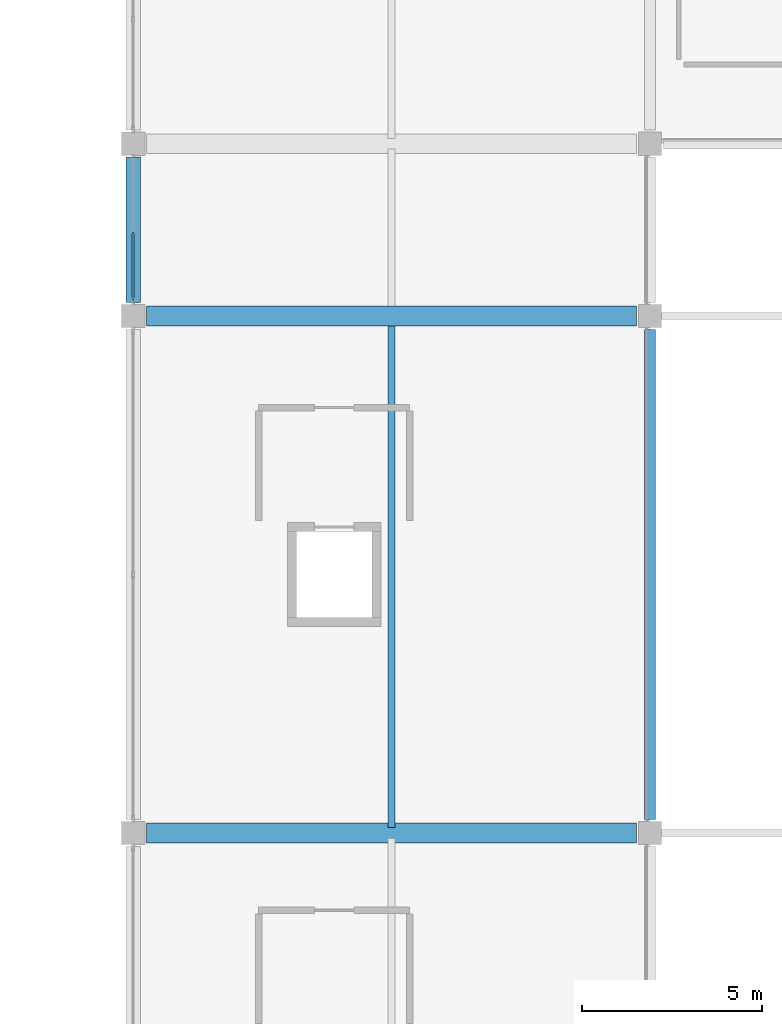
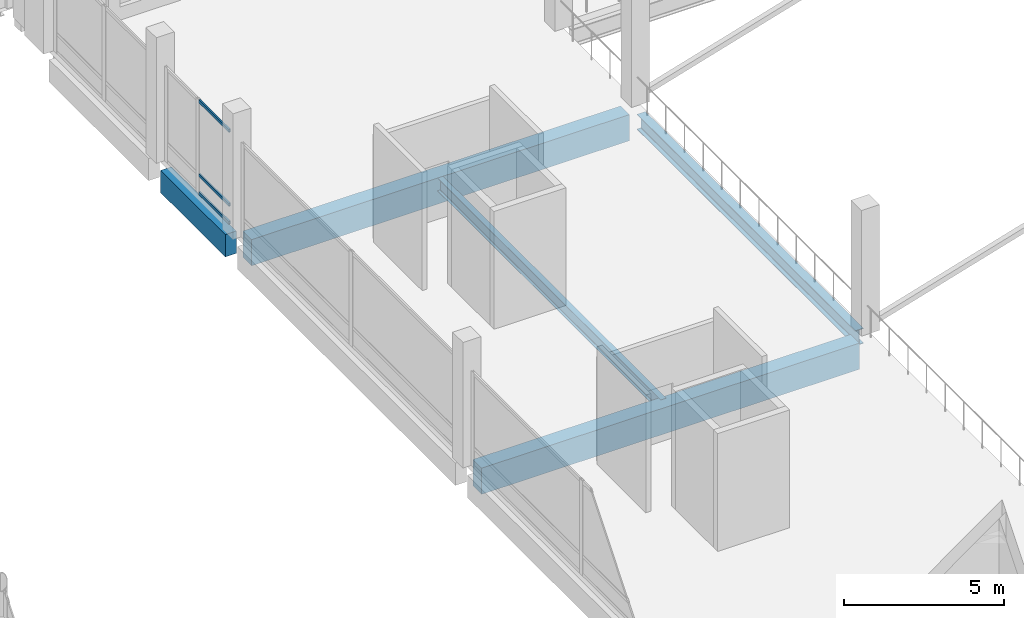
# One storey, part 105 of 220: 5 beams, 3 members, 1 element without a shape of its own.
"""IFC4 building model written with IfcOpenShell, lengths in metres."""

import ifcopenshell
import ifcopenshell.guid

model = None  # the IFC model being written
_history = None  # IfcOwnerHistory: only IFC2X3 demands one
_inside = {}  # id of a spatial element -> (the spatial element, [elements in it])
_under = {}  # id of a project, library or spatial element -> (it, [spatial elements below it])
_declared = {}  # id of a project -> (the project, [libraries it declares])
_typed = {}  # id of a type object -> (the type object, [elements of that type])
_made_of = {}  # id of a material, layer set ... -> (it, [elements and type objects made of it])


def new_model(schema):
    """Start an empty IFC model of exactly this schema.

    Asked for "IFC4X3", IfcOpenShell would pick the latest addendum, in which some entities
    have other attributes; the version numbers below select the first issue.
    IFC2X3 requires an IfcOwnerHistory on every rooted entity: one is made here for all.
    """
    global model, _history
    if schema == "IFC4X3":
        model = ifcopenshell.file(schema_version=(4, 3, 0, 0))
    else:
        model = ifcopenshell.file(schema=schema)
    _inside.clear()
    _under.clear()
    _declared.clear()
    _typed.clear()
    _made_of.clear()
    _history = None
    if model.schema == "IFC2X3":
        org = make("IfcOrganization", Name="unknown")
        user = make(
            "IfcPersonAndOrganization",
            ThePerson=make("IfcPerson", FamilyName="unknown"),
            TheOrganization=org,
        )
        app = make(
            "IfcApplication",
            ApplicationDeveloper=org,
            Version="unknown",
            ApplicationFullName="unknown",
            ApplicationIdentifier="unknown",
        )
        _history = make(
            "IfcOwnerHistory",
            OwningUser=user,
            OwningApplication=app,
            ChangeAction="ADDED",
            CreationDate=0,
        )
    return model


def make(cls, **values):
    """One entity of the class cls with the attributes given. An attribute that is None is left unset."""
    return model.create_entity(
        cls, **{name: value for name, value in values.items() if value is not None}
    )


def rooted(cls, **values):
    """An entity with a GlobalId (a new one), such as an element, a storey or a relation."""
    return make(cls, GlobalId=ifcopenshell.guid.new(), OwnerHistory=_history, **values)


def si_unit(unit_type, name, prefix=None):
    """IfcSIUnit, for example si_unit("LENGTHUNIT", "METRE", prefix="MILLI")."""
    return make("IfcSIUnit", UnitType=unit_type, Prefix=prefix, Name=name)


def assignment(units):
    """IfcUnitAssignment: the units of a project."""
    return None if units is None else make("IfcUnitAssignment", Units=units)


def point(xyz):
    """IfcCartesianPoint."""
    return None if xyz is None else make("IfcCartesianPoint", Coordinates=xyz)


def direction(xyz):
    """IfcDirection."""
    return None if xyz is None else make("IfcDirection", DirectionRatios=xyz)


def frame(location, z_axis=None, x_axis=None):
    """IfcAxis2Placement3D, a coordinate frame: its origin and axes. An axis left out is left unset."""
    return make(
        "IfcAxis2Placement3D",
        Location=point(location),
        Axis=direction(z_axis),
        RefDirection=direction(x_axis),
    )


def frame_2d(location, x_axis=None):
    """IfcAxis2Placement2D, a coordinate frame in the plane: its origin and x axis."""
    return make(
        "IfcAxis2Placement2D", Location=point(location), RefDirection=direction(x_axis)
    )


def origin():
    """The frame at (0, 0, 0) with its axes left unset."""
    return frame((0.0, 0.0, 0.0))


def origin_2d():
    """The frame at (0, 0) in the plane with its x axis left unset."""
    return frame_2d((0.0, 0.0))


def place(relative_to, where):
    """IfcLocalPlacement: puts the frame where relative to a parent placement (None: the world)."""
    return make(
        "IfcLocalPlacement", PlacementRelTo=relative_to, RelativePlacement=where
    )


def context(
    kind, dimensions, precision=None, world=None, true_north=None, identifier=None
):
    """IfcGeometricRepresentationContext, for example the 3D "Model" context."""
    return make(
        "IfcGeometricRepresentationContext",
        ContextIdentifier=identifier,
        ContextType=kind,
        CoordinateSpaceDimension=dimensions,
        Precision=precision,
        WorldCoordinateSystem=world,
        TrueNorth=true_north,
    )


def subcontext(parent, identifier, kind, view, scale=None):
    """IfcGeometricRepresentationSubContext, for example "Body" below "Model"."""
    return make(
        "IfcGeometricRepresentationSubContext",
        ContextIdentifier=identifier,
        ContextType=kind,
        ParentContext=parent,
        TargetScale=scale,
        TargetView=view,
    )


def project(units=None, contexts=None):
    """IfcProject with its units and contexts."""
    return rooted(
        "IfcProject",
        Name="project",
        RepresentationContexts=contexts,
        UnitsInContext=assignment(units),
    )


def spatial(cls, under=None, at=None, **own):
    """A site, building, storey or space (cls), placed at a placement, below another one or the project."""
    s = rooted(cls, ObjectPlacement=at, **own)
    if under is not None:
        _under.setdefault(under.id(), (under, []))[1].append(s)
    return s


def profile(cls, at=None, kind="AREA", **sizes):
    """A parametric profile (cls). Its sizes go by their IFC names, for example OverallWidth=200.0."""
    return make(cls, ProfileType=kind, Position=at, **sizes)


def rectangle(**sizes):
    """IfcRectangleProfileDef."""
    return profile("IfcRectangleProfileDef", **sizes)


def hollow_rectangle(**sizes):
    """IfcRectangleHollowProfileDef."""
    return profile("IfcRectangleHollowProfileDef", **sizes)


def i_section(**sizes):
    """IfcIShapeProfileDef."""
    return profile("IfcIShapeProfileDef", **sizes)


def extrude(swept, where, along, depth):
    """IfcExtrudedAreaSolid: the profile swept, set in the frame where, extruded along a direction by depth."""
    return make(
        "IfcExtrudedAreaSolid",
        SweptArea=swept,
        Position=where,
        ExtrudedDirection=direction(along),
        Depth=depth,
    )


def shape(context_of_items, identifier, shape_type, items):
    """IfcShapeRepresentation: the items that make up one representation, for example the "Body"."""
    return make(
        "IfcShapeRepresentation",
        ContextOfItems=context_of_items,
        RepresentationIdentifier=identifier,
        RepresentationType=shape_type,
        Items=items,
    )


def material(Name=None, Category=None):
    """IfcMaterial."""
    return make("IfcMaterial", Name=Name, Category=Category)


def material_profile(
    of_material, cross_section, Name=None, Category=None, Priority=None
):
    """IfcMaterialProfile: a cross section and its material."""
    return make(
        "IfcMaterialProfile",
        Name=Name,
        Material=of_material,
        Profile=cross_section,
        Priority=Priority,
        Category=Category,
    )


def profile_set(profiles, Name=None, composite=None):
    """IfcMaterialProfileSet."""
    return make(
        "IfcMaterialProfileSet",
        Name=Name,
        MaterialProfiles=profiles,
        CompositeProfile=composite,
    )


def made_of(thing, what):
    """Note that an element or type object is made of a material, layer set ...; save() writes the relation."""
    if what is not None:
        _made_of.setdefault(what.id(), (what, []))[1].append(thing)
    return thing


def type_object(cls, material=None, **own):
    """A type object (cls), such as IfcWallType, which elements share."""
    return made_of(rooted(cls, **own), material)


def element(
    cls,
    number,
    at=None,
    inside=None,
    cuts=None,
    type_object=None,
    material=None,
    context=None,
    identifier="Body",
    shape_type=None,
    held_by="IfcProductDefinitionShape",
    body=None,
    shapes=None,
    **own,
):
    """One element of the class cls, such as IfcWall. Its Tag is "e" and its number.

    at: its placement. inside: the storey or other place that contains it. cuts: it is an
    opening in that element (IfcRelVoidsElement). A single representation is given by context,
    identifier, shape_type and body (its items); several are given by shapes. held_by: the class
    of the entity that holds the representations. save() writes the other relations.
    """
    e = rooted(cls, Tag="e%d" % number, ObjectPlacement=at, **own)
    if body is not None:
        shapes = [shape(context, identifier, shape_type, body)]
    if shapes is not None:
        e.Representation = make(held_by, Representations=shapes)
    if inside is not None:
        _inside.setdefault(inside.id(), (inside, []))[1].append(e)
    if cuts is not None:
        rooted(
            "IfcRelVoidsElement", RelatingBuildingElement=cuts, RelatedOpeningElement=e
        )
    if type_object is not None:
        _typed.setdefault(type_object.id(), (type_object, []))[1].append(e)
    return made_of(e, material)


def aggregate(whole, parts):
    """IfcRelAggregates: a whole, such as a stair, and the parts it consists of."""
    return rooted("IfcRelAggregates", RelatingObject=whole, RelatedObjects=parts)


def save(model, path):
    """Write the relations noted so far, then the file.

    IfcRelAggregates (storeys below a building ...), IfcRelContainedInSpatialStructure (elements
    in a storey), IfcRelDefinesByType, IfcRelAssociatesMaterial and IfcRelDeclares: one each for
    every whole, place, type object, material and project.
    """
    for whole, parts in _under.values():
        aggregate(whole, parts)
    for where, things in _inside.values():
        rooted(
            "IfcRelContainedInSpatialStructure",
            RelatedElements=things,
            RelatingStructure=where,
        )
    for kind, things in _typed.values():
        rooted("IfcRelDefinesByType", RelatedObjects=things, RelatingType=kind)
    for what, things in _made_of.values():
        rooted("IfcRelAssociatesMaterial", RelatedObjects=things, RelatingMaterial=what)
    for by, libraries in _declared.values():
        rooted("IfcRelDeclares", RelatingContext=by, RelatedDefinitions=libraries)
    model.write(path)


model = new_model("IFC4")

# Units and contexts
model_context = context("Model", 3, precision=1e-05, world=origin(), true_north=direction((0.0, 1.0)))
body_context = subcontext(model_context, "Body", "Model", "MODEL_VIEW")
ifc_project = project(units=[si_unit("LENGTHUNIT", "METRE"), si_unit("AREAUNIT", "SQUARE_METRE"), si_unit("VOLUMEUNIT", "CUBIC_METRE"), si_unit("PLANEANGLEUNIT", "RADIAN"), si_unit("MASSUNIT", "GRAM", prefix="KILO")], contexts=[model_context])

# Site, building, storey
site_placement = place(None, origin())
site = spatial("IfcSite", under=ifc_project, at=site_placement, CompositionType="ELEMENT")
building_placement = place(site_placement, origin())
building = spatial("IfcBuilding", under=site, at=building_placement, Name="Cendralis Lancet Convention Centre", CompositionType="ELEMENT")
storey_placement = place(building_placement, frame((0.0, 0.0, 5.39990234375)))
storey = spatial("IfcBuildingStorey", under=building, at=storey_placement, Name="L01", CompositionType="ELEMENT", Elevation=5.39990234375)

# Curtain wall, members
ifc_material_1 = material(Name="Anodised bronze architectural aluminium", Category="aluminium")
curtain_wall_type = type_object("IfcCurtainWallType", Name="ARC-CW-PL01", PredefinedType="USERDEFINED", material=ifc_material_1)
curtain_wall_placement = place(storey_placement, origin())
curtain_wall = element("IfcCurtainWall", 1, at=curtain_wall_placement, inside=storey, type_object=curtain_wall_type, Name="L01 Curtain Wall CW-PL1 #119", ObjectType="CURTAIN WALL", PredefinedType="USERDEFINED")
ifc_material_profile_1 = material_profile(ifc_material_1, hollow_rectangle(XDim=0.06005859375, YDim=0.1201171875, WallThickness=0.00390625, at=origin_2d()), Name="AL-TRAN 60x120x4.0")
ifc_profile_set_1 = profile_set([ifc_material_profile_1], Name="Anodised bronze architectural aluminium")
member_type = type_object("IfcMemberType", Name="ARC-CW-TR01", PredefinedType="USERDEFINED", material=ifc_profile_set_1)
member_1_placement = place(storey_placement, frame((139.199951171875, 79.64501953125, 0.06005859375), z_axis=(0.0, 1.0, 0.0), x_axis=(-1.0, 0.0, 0.0)))
member_1 = element("IfcMember", 2, at=member_1_placement, type_object=member_type, Name="Transom CW2-CW-PL1-L01-119-T0BOT", ObjectType="TRANSOM", PredefinedType="USERDEFINED", context=body_context, shape_type="SweptSolid", body=[
    extrude(hollow_rectangle(XDim=0.06005859375, YDim=0.1201171875, WallThickness=0.00390625, at=origin_2d()), origin(), (0.0, 0.0, 1.0), 1.885009765625),
])
member_2_placement = place(storey_placement, frame((139.199951171875, 79.64501953125, 0.75), z_axis=(0.0, 1.0, 0.0), x_axis=(-1.0, 0.0, 0.0)))
member_2 = element("IfcMember", 3, at=member_2_placement, type_object=member_type, Name="Transom CW2-CW-PL1-L01-119-T0MID", ObjectType="TRANSOM", PredefinedType="USERDEFINED", context=body_context, shape_type="SweptSolid", body=[
    extrude(hollow_rectangle(XDim=0.06005859375, YDim=0.1201171875, WallThickness=0.00390625, at=origin_2d()), origin(), (0.0, 0.0, 1.0), 1.885009765625),
])
member_3_placement = place(storey_placement, frame((139.199951171875, 79.64501953125, 3.5751953125), z_axis=(0.0, 1.0, 0.0), x_axis=(-1.0, 0.0, 0.0)))
member_3 = element("IfcMember", 4, at=member_3_placement, type_object=member_type, Name="Transom CW2-CW-PL1-L01-119-T0TOP", ObjectType="TRANSOM", PredefinedType="USERDEFINED", context=body_context, shape_type="SweptSolid", body=[
    extrude(hollow_rectangle(XDim=0.06005859375, YDim=0.1201171875, WallThickness=0.00390625, at=origin_2d()), origin(), (0.0, 0.0, 1.0), 1.885009765625),
])
aggregate(curtain_wall, [member_1, member_2, member_3])

# Beams
ifc_material_2 = material(Name="Concrete G40 (C40/50)", Category="concrete")
ifc_material_profile_2 = material_profile(ifc_material_2, rectangle(XDim=0.550048828125, YDim=1.0, at=origin_2d()), Name="RCB 550x1000")
ifc_profile_set_2 = profile_set([ifc_material_profile_2], Name="Concrete G40 (C40/50)")
beam_type_1 = type_object("IfcBeamType", Name="STR-BM-BG05", PredefinedType="BEAM", material=ifc_profile_set_2)
for number, where, z_axis, x_axis, name in (
    (5, (139.574951171875, 64.800048828125, -0.77978515625), (1.0, 0.0, 0.0), (0.0, 1.0, 0.0), "L01 Beam BG05 #1415"),
    (6, (139.574951171875, 79.199951171875, -0.77978515625), (1.0, 0.0, 0.0), (0.0, 1.0, 0.0), "L01 Beam BG05 #1417"),
):
    element("IfcBeam", number, at=place(storey_placement, frame(where, z_axis=z_axis, x_axis=x_axis)), inside=storey, type_object=beam_type_1, Name=name, PredefinedType="BEAM", context=body_context, shape_type="SweptSolid", body=[
        extrude(rectangle(XDim=0.550048828125, YDim=1.0, at=origin_2d()), origin(), (0.0, 0.0, 1.0), 13.650146484375),
    ])
ifc_material_3 = material(Name="Steel S355", Category="steel")
ifc_material_profile_3 = material_profile(ifc_material_3, i_section(OverallWidth=0.300048828125, OverallDepth=0.590087890625, WebThickness=0.012939453125, FlangeThickness=0.02490234375, FilletRadius=0.027099609375, at=origin_2d()), Name="HEA 600")
ifc_profile_set_3 = profile_set([ifc_material_profile_3], Name="Steel S355")
beam_type_2 = type_object("IfcBeamType", Name="STR-BM-SG10", PredefinedType="BEAM", material=ifc_profile_set_3)
beam_1_placement = place(storey_placement, frame((153.60009765625, 65.175048828125, -0.574951171875), z_axis=(0.0, 1.0, 0.0), x_axis=(-1.0, 0.0, 0.0)))
element("IfcBeam", 7, at=beam_1_placement, inside=storey, type_object=beam_type_2, Name="L01 Beam SG10 #1429", PredefinedType="BEAM", context=body_context, shape_type="SweptSolid", body=[
    extrude(i_section(OverallWidth=0.300048828125, OverallDepth=0.590087890625, WebThickness=0.012939453125, FlangeThickness=0.02490234375, FilletRadius=0.027099609375, at=origin_2d()), origin(), (0.0, 0.0, 1.0), 13.64990234375),
])
ifc_material_profile_4 = material_profile(ifc_material_3, i_section(OverallWidth=0.199951171875, OverallDepth=0.5, WebThickness=0.01025390625, FlangeThickness=0.01611328125, FilletRadius=0.02099609375, at=origin_2d()), Name="IPE 500")
ifc_profile_set_4 = profile_set([ifc_material_profile_4], Name="Steel S355")
beam_type_3 = type_object("IfcBeamType", Name="STR-JS-BJ06", PredefinedType="JOIST", material=ifc_profile_set_4)
beam_2_placement = place(storey_placement, frame((146.39990234375, 64.949951171875, -0.52978515625), z_axis=(0.0, 1.0, 0.0), x_axis=(-1.0, 0.0, 0.0)))
element("IfcBeam", 8, at=beam_2_placement, inside=storey, type_object=beam_type_3, Name="L01 Beam BJ06 #1443", PredefinedType="JOIST", context=body_context, shape_type="SweptSolid", body=[
    extrude(i_section(OverallWidth=0.199951171875, OverallDepth=0.5, WebThickness=0.01025390625, FlangeThickness=0.01611328125, FilletRadius=0.02099609375, at=origin_2d()), origin(), (0.0, 0.0, 1.0), 13.97509765625),
])
ifc_material_profile_5 = material_profile(ifc_material_2, rectangle(XDim=0.39990234375, YDim=0.85009765625, at=origin_2d()), Name="RCB 400x850")
ifc_profile_set_5 = profile_set([ifc_material_profile_5], Name="Concrete G40 (C40/50)")
beam_type_4 = type_object("IfcBeamType", Name="STR-SP-SP02", PredefinedType="SPANDREL", material=ifc_profile_set_5)
beam_3_placement = place(storey_placement, frame((139.199951171875, 79.574951171875, -0.704833984375), z_axis=(0.0, 1.0, 0.0), x_axis=(-1.0, 0.0, 0.0)))
element("IfcBeam", 9, at=beam_3_placement, inside=storey, type_object=beam_type_4, Name="L01 Beam SP02 #1425", PredefinedType="SPANDREL", context=body_context, shape_type="SweptSolid", body=[
    extrude(rectangle(XDim=0.39990234375, YDim=0.85009765625, at=origin_2d()), origin(), (0.0, 0.0, 1.0), 4.050048828125),
])

save(model, "model.ifc")
